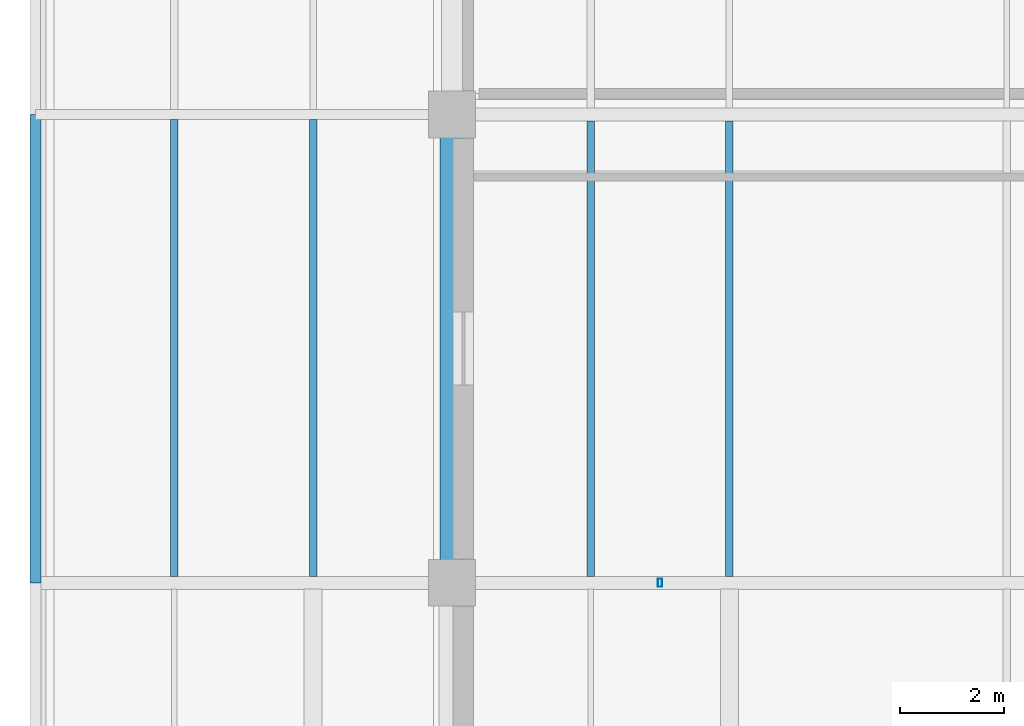
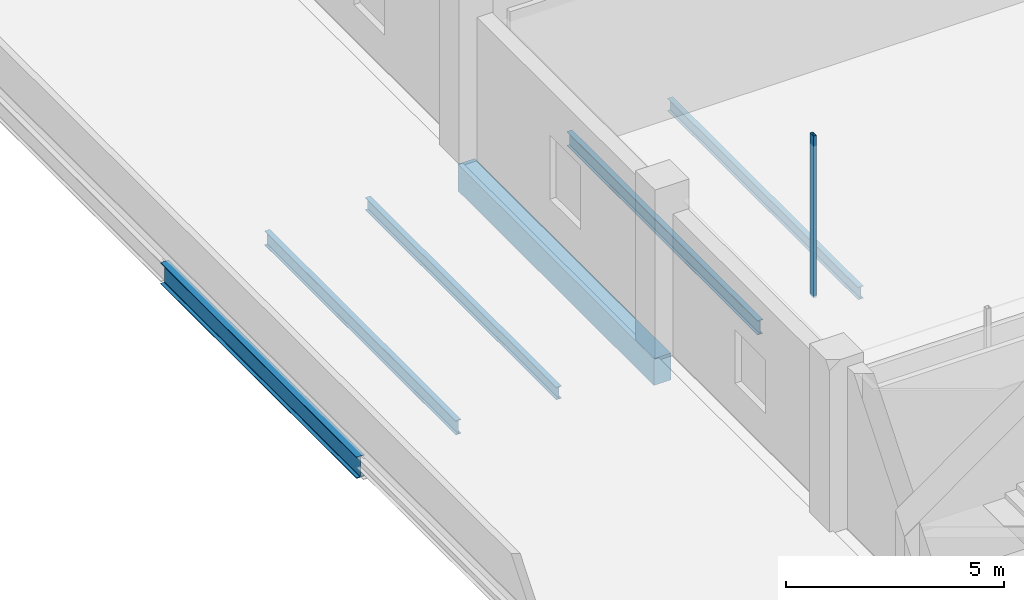
# One storey, part 15 of 127: 6 beams, 1 member.
"""IFC4 building model written with IfcOpenShell, lengths in metres."""

from ifc_helpers import new_model, si_unit, derived_unit, direction, frame, origin, origin_2d, place, context, subcontext, project, spatial, rectangle, hollow_rectangle, i_section, extrude, material, material_profile, profile_set, type_object, element, save


model = new_model("IFC4")

# Units and contexts
model_context = context("Model", 3, precision=1e-05, world=origin(), true_north=direction((0.0, 1.0)))
body_context = subcontext(model_context, "Body", "Model", "MODEL_VIEW")
ifc_project = project(units=[si_unit("LENGTHUNIT", "METRE"), si_unit("AREAUNIT", "SQUARE_METRE"), si_unit("VOLUMEUNIT", "CUBIC_METRE"), si_unit("PLANEANGLEUNIT", "RADIAN"), si_unit("MASSUNIT", "GRAM", prefix="KILO"), derived_unit("THERMALTRANSMITTANCEUNIT", [(si_unit("POWERUNIT", "WATT"), 1), (si_unit("LENGTHUNIT", "METRE"), -2), (si_unit("THERMODYNAMICTEMPERATUREUNIT", "KELVIN"), -1)])], contexts=[model_context])

# Site, building, storey
site_placement = place(None, origin())
site = spatial("IfcSite", under=ifc_project, at=site_placement, CompositionType="ELEMENT")
building_placement = place(site_placement, origin())
building = spatial("IfcBuilding", under=site, at=building_placement, Name="Nallur Shell Playhouse", CompositionType="ELEMENT")
storey_placement = place(building_placement, frame((0.0, 0.0, 5.39990234375)))
storey = spatial("IfcBuildingStorey", under=building, at=storey_placement, Name="L02", CompositionType="ELEMENT", Elevation=5.39990234375)

# Beams
ifc_material_1 = material(Name="Steel E250", Category="steel")
ifc_material_profile_1 = material_profile(ifc_material_1, i_section(OverallWidth=0.139892578125, OverallDepth=0.35009765625, WebThickness=0.008056640625, FlangeThickness=0.01416015625, FilletRadius=0.013916015625, at=origin_2d()), Name="ISMB 350")
ifc_profile_set_1 = profile_set([ifc_material_profile_1], Name="Steel E250")
beam_type_1 = type_object("IfcBeamType", Name="BM-JST-ISMB350", PredefinedType="JOIST", material=ifc_profile_set_1)
beam_1_placement = place(storey_placement, frame((13.333251953125, 32.123046875, -0.454833984375), z_axis=(0.0, 1.0, 0.0), x_axis=(-1.0, 0.0, 0.0)))
element("IfcBeam", 1, at=beam_1_placement, inside=storey, type_object=beam_type_1, Name="L02 secondary joist 1-D-476", PredefinedType="JOIST", context=body_context, shape_type="SweptSolid", body=[
    extrude(i_section(OverallWidth=0.139892578125, OverallDepth=0.35009765625, WebThickness=0.008056640625, FlangeThickness=0.01416015625, FilletRadius=0.013916015625, at=origin_2d()), origin(), (0.0, 0.0, 1.0), 8.779052734375),
])
beam_2_placement = place(storey_placement, frame((21.333251953125, 32.123046875, -0.454833984375), z_axis=(0.0, 1.0, 0.0), x_axis=(-1.0, 0.0, 0.0)))
element("IfcBeam", 2, at=beam_2_placement, inside=storey, type_object=beam_type_1, Name="L02 secondary joist 2-D-488", PredefinedType="JOIST", context=body_context, shape_type="SweptSolid", body=[
    extrude(i_section(OverallWidth=0.139892578125, OverallDepth=0.35009765625, WebThickness=0.008056640625, FlangeThickness=0.01416015625, FilletRadius=0.013916015625, at=origin_2d()), origin(), (0.0, 0.0, 1.0), 8.75390625),
])
ifc_material_profile_2 = material_profile(ifc_material_1, i_section(OverallWidth=0.139892578125, OverallDepth=0.39990234375, WebThickness=0.0087890625, FlangeThickness=0.01611328125, FilletRadius=0.013916015625, at=origin_2d()), Name="ISMB 400")
ifc_profile_set_2 = profile_set([ifc_material_profile_2], Name="Steel E250")
beam_type_2 = type_object("IfcBeamType", Name="BM-JST-ISMB400", PredefinedType="JOIST", material=ifc_profile_set_2)
beam_3_placement = place(storey_placement, frame((10.666748046875, 32.123046875, -0.47998046875), z_axis=(0.0, 1.0, 0.0), x_axis=(-1.0, 0.0, 0.0)))
element("IfcBeam", 3, at=beam_3_placement, inside=storey, type_object=beam_type_2, Name="L02 secondary joist 1-D-475", PredefinedType="JOIST", context=body_context, shape_type="SweptSolid", body=[
    extrude(i_section(OverallWidth=0.139892578125, OverallDepth=0.39990234375, WebThickness=0.0087890625, FlangeThickness=0.01611328125, FilletRadius=0.013916015625, at=origin_2d()), origin(), (0.0, 0.0, 1.0), 8.779052734375),
])
beam_4_placement = place(storey_placement, frame((18.666748046875, 32.123046875, -0.47998046875), z_axis=(0.0, 1.0, 0.0), x_axis=(-1.0, 0.0, 0.0)))
element("IfcBeam", 4, at=beam_4_placement, inside=storey, type_object=beam_type_2, Name="L02 secondary joist 2-D-487", PredefinedType="JOIST", context=body_context, shape_type="SweptSolid", body=[
    extrude(i_section(OverallWidth=0.139892578125, OverallDepth=0.39990234375, WebThickness=0.0087890625, FlangeThickness=0.01611328125, FilletRadius=0.013916015625, at=origin_2d()), origin(), (0.0, 0.0, 1.0), 8.75390625),
])
ifc_material_2 = material(Name="Concrete M35", Category="concrete")
ifc_material_profile_3 = material_profile(ifc_material_2, rectangle(XDim=0.449951171875, YDim=0.75, at=origin_2d()), Name="RC 450x750")
ifc_profile_set_3 = profile_set([ifc_material_profile_3], Name="Concrete M35")
beam_type_3 = type_object("IfcBeamType", Name="BM-RC-450x750", PredefinedType="BEAM", material=ifc_profile_set_3)
beam_5_placement = place(storey_placement, frame((16.0, 32.0, -0.65478515625), z_axis=(0.0, 1.0, 0.0), x_axis=(-1.0, 0.0, 0.0)))
element("IfcBeam", 5, at=beam_5_placement, inside=storey, type_object=beam_type_3, Name="L02 girder Y-2-398", PredefinedType="BEAM", context=body_context, shape_type="SweptSolid", body=[
    extrude(rectangle(XDim=0.449951171875, YDim=0.75, at=origin_2d()), origin(), (0.0, 0.0, 1.0), 9.0),
])
ifc_material_3 = material(Name="Steel E350", Category="steel")
ifc_material_profile_4 = material_profile(ifc_material_3, i_section(OverallWidth=0.2099609375, OverallDepth=0.60009765625, WebThickness=0.011962890625, FlangeThickness=0.020751953125, FilletRadius=0.02001953125, at=origin_2d()), Name="ISMB 600")
ifc_profile_set_4 = profile_set([ifc_material_profile_4], Name="Steel E350")
beam_type_4 = type_object("IfcBeamType", Name="BM-ST-ISMB600", PredefinedType="BEAM", material=ifc_profile_set_4)
beam_6_placement = place(storey_placement, frame((8.0, 32.0, -0.579833984375), z_axis=(0.0, 1.0, 0.0), x_axis=(-1.0, 0.0, 0.0)))
element("IfcBeam", 6, at=beam_6_placement, inside=storey, type_object=beam_type_4, Name="L02 girder Y-1-392", PredefinedType="BEAM", context=body_context, shape_type="SweptSolid", body=[
    extrude(i_section(OverallWidth=0.2099609375, OverallDepth=0.60009765625, WebThickness=0.011962890625, FlangeThickness=0.020751953125, FilletRadius=0.02001953125, at=origin_2d()), origin(), (0.0, 0.0, 1.0), 9.0),
])

# Member
ifc_material_profile_5 = material_profile(ifc_material_1, hollow_rectangle(XDim=0.080078125, YDim=0.159912109375, WallThickness=0.006103515625, at=origin_2d()), Name="RHS 160x80x6")
ifc_profile_set_5 = profile_set([ifc_material_profile_5], Name="Steel E250")
member_type = type_object("IfcMemberType", Name="MB-STUD-RHS160", PredefinedType="STUD", material=ifc_profile_set_5)
member_placement = place(storey_placement, frame((20.0, 32.0, 0.0), z_axis=(0.0, 0.0, 1.0), x_axis=(1.0, 0.0, 0.0)))
element("IfcMember", 7, at=member_placement, inside=storey, type_object=member_type, Name="L02 acoustic isolation wall stud 10", PredefinedType="STUD", context=body_context, shape_type="SweptSolid", body=[
    extrude(hollow_rectangle(XDim=0.080078125, YDim=0.159912109375, WallThickness=0.006103515625, at=origin_2d()), origin(), (0.0, 0.0, 1.0), 4.5400390625),
])

save(model, "model.ifc")
